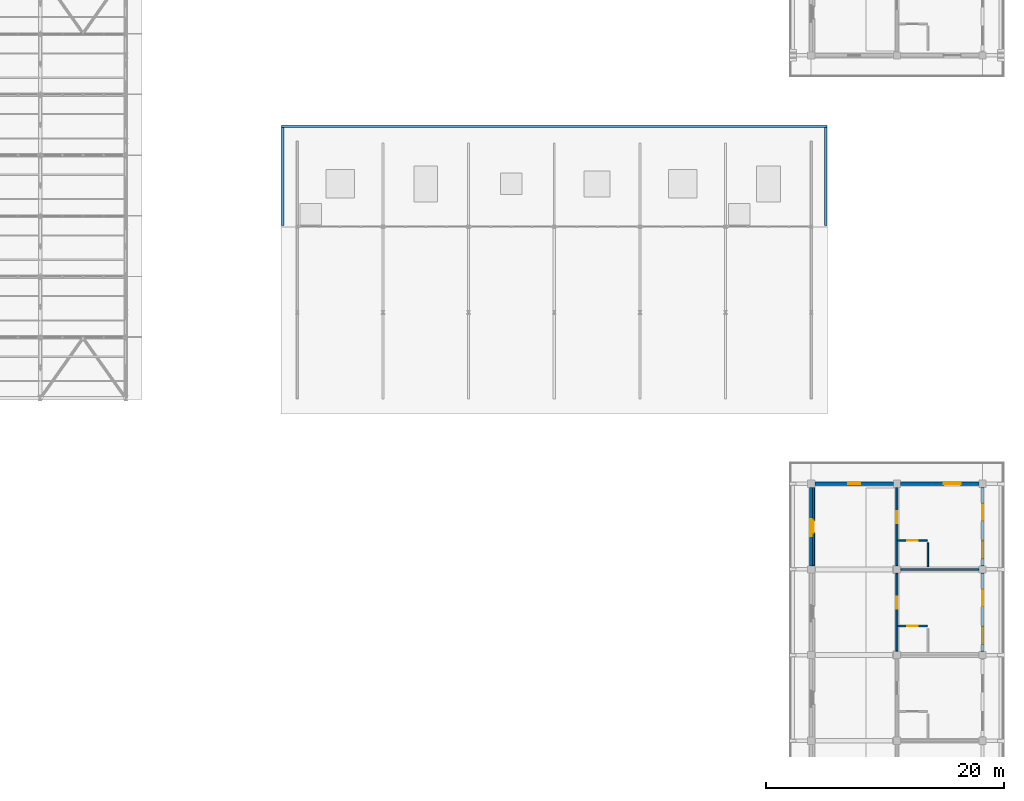
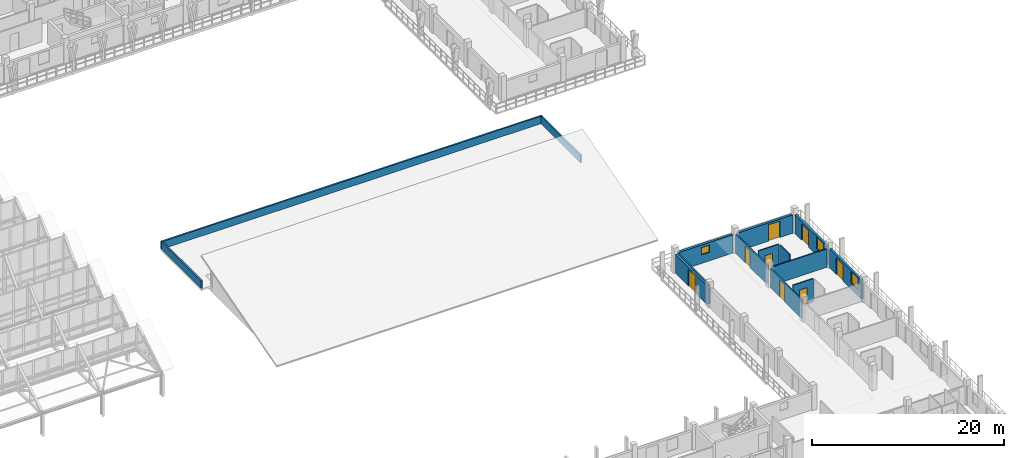
# One storey, part 132 of 157: 15 walls, 9 doors, 3 windows, 12 openings.
"""IFC4 building model written with IfcOpenShell, lengths in metres."""

from ifc_helpers import new_model, si_unit, direction, frame, frame_2d, origin, place, context, subcontext, project, spatial, rectangle, extrude, material, layer, layer_set, type_object, element, fill, save


model = new_model("IFC4")

# Units and contexts
model_context = context("Model", 3, precision=1e-05, world=origin(), true_north=direction((0.0, 1.0)))
body_context = subcontext(model_context, "Body", "Model", "MODEL_VIEW")
ifc_project = project(units=[si_unit("LENGTHUNIT", "METRE"), si_unit("AREAUNIT", "SQUARE_METRE"), si_unit("VOLUMEUNIT", "CUBIC_METRE"), si_unit("PLANEANGLEUNIT", "RADIAN"), si_unit("MASSUNIT", "GRAM", prefix="KILO")], contexts=[model_context])

# Site, building, storey
site_placement = place(None, origin())
site = spatial("IfcSite", under=ifc_project, at=site_placement, CompositionType="ELEMENT")
building_placement = place(site_placement, origin())
building = spatial("IfcBuilding", under=site, at=building_placement, Name="Suanplinth Sawtooth Commons", CompositionType="ELEMENT")
storey_placement = place(building_placement, frame((0.0, 0.0, 9.0)))
storey = spatial("IfcBuildingStorey", under=building, at=storey_placement, Name="L02", CompositionType="ELEMENT", Elevation=9.0)

# Wall, opening, window
ifc_material_1 = material(Name="Precast concrete C40/50", Category="concrete")
ifc_layer_1 = layer(ifc_material_1, 0.280029296875, Name="Insulated precast architectural facade wall 280mm")
ifc_layer_set_1 = layer_set([ifc_layer_1], Name="Precast concrete C40/50")
wall_type_1 = type_object("IfcWallType", Name="W-EX01", PredefinedType="ELEMENTEDWALL", material=ifc_layer_set_1)
wall_1_placement = place(storey_placement, frame((173.10009765625, 43.199951171875, 0.0), z_axis=(0.0, 0.0, 1.0), x_axis=(1.0, 0.0, 0.0)))
wall_1 = element("IfcWall", 1, at=wall_1_placement, inside=storey, type_object=wall_type_1, Name="Facade Wall W-L02-C-N-24-5", PredefinedType="ELEMENTEDWALL", context=body_context, shape_type="SweptSolid", body=[
    extrude(rectangle(XDim=6.599853515625, YDim=0.280029296875, at=frame_2d((3.2998046875, 0.0))), origin(), (0.0, 0.0, 1.0), 2.344970703125),
])
opening_1_placement = place(wall_1_placement, frame((2.800048828125, 0.0, 1.10009765625)))
opening_1 = element("IfcOpeningElement", 2, at=opening_1_placement, cuts=wall_1, Name="Opening W0305", PredefinedType="OPENING", context=body_context, shape_type="SweptSolid", body=[
    extrude(rectangle(XDim=1.0, YDim=0.89990234375, at=frame_2d((0.5, 0.449951171875))), frame((0.0, 0.15478515625, 0.0), z_axis=(0.0, -1.0, 0.0), x_axis=(1.0, 0.0, 0.0)), (0.0, 0.0, 1.0), 0.309814453125),
])
ifc_material_2 = material(Name="Thermally broken aluminium and low-E double glazing", Category="aluminium")
window_type_1 = type_object("IfcWindowType", Name="WN-12", PartitioningType="SINGLE_PANEL", PredefinedType="WINDOW", material=ifc_material_2)
window_1_placement = place(opening_1_placement, origin())
window_1 = element("IfcWindow", 3, at=window_1_placement, inside=storey, type_object=window_type_1, Name="End Window L02-C-N-24-5", OverallHeight=0.89990234375, OverallWidth=1.0, PartitioningType="SINGLE_PANEL", PredefinedType="WINDOW", context=body_context, shape_type="SweptSolid", body=[
    extrude(rectangle(XDim=1.0, YDim=0.89990234375, at=frame_2d((0.5, 0.449951171875))), frame((0.0, 0.030029296875, 0.0), z_axis=(0.0, -1.0, 0.0), x_axis=(1.0, 0.0, 0.0)), (0.0, 0.0, 1.0), 0.06005859375),
])
fill(opening_1, window_1)

# Wall, opening, door
wall_2_placement = place(storey_placement, frame((172.800048828125, 36.300048828125, 0.0), z_axis=(0.0, 0.0, 1.0), x_axis=(0.0, 1.0, 0.0)))
wall_2 = element("IfcWall", 4, at=wall_2_placement, inside=storey, type_object=wall_type_1, Name="Facade Wall W-L02-C-W-24-5", PredefinedType="ELEMENTEDWALL", context=body_context, shape_type="SweptSolid", body=[
    extrude(rectangle(XDim=6.599853515625, YDim=0.280029296875, at=frame_2d((3.2998046875, 0.0))), origin(), (0.0, 0.0, 1.0), 2.39501953125),
])
opening_2_placement = place(wall_2_placement, frame((2.5, 0.0, 0.0)))
opening_2 = element("IfcOpeningElement", 5, at=opening_2_placement, cuts=wall_2, Name="Opening ED0190", PredefinedType="OPENING", context=body_context, shape_type="SweptSolid", body=[
    extrude(rectangle(XDim=1.39990234375, YDim=2.10009765625, at=frame_2d((0.699951171875, 1.050048828125))), frame((0.0, 0.15478515625, 0.0), z_axis=(0.0, -1.0, 0.0), x_axis=(1.0, 0.0, 0.0)), (0.0, 0.0, 1.0), 0.309814453125),
])
ifc_material_3 = material(Name="Anodized aluminium and low-E glass", Category="aluminium")
door_type_1 = type_object("IfcDoorType", Name="SD-07", OperationType="SLIDING_TO_RIGHT", PredefinedType="DOOR", material=ifc_material_3)
door_1_placement = place(opening_2_placement, frame((1.39990234375, 0.0, 0.0), z_axis=(0.0, 0.0, 1.0), x_axis=(-1.0, 0.0, 0.0)))
door_1 = element("IfcDoor", 6, at=door_1_placement, inside=storey, type_object=door_type_1, Name="Courtyard Veranda Studio Balcony Door L02-C-5", OperationType="SLIDING_TO_RIGHT", OverallHeight=2.10009765625, OverallWidth=1.39990234375, PredefinedType="DOOR", context=body_context, shape_type="SweptSolid", body=[
    extrude(rectangle(XDim=1.39990234375, YDim=2.10009765625, at=frame_2d((0.699951171875, 1.050048828125))), frame((0.0, 0.02490234375, 0.0), z_axis=(0.0, -1.0, 0.0), x_axis=(1.0, 0.0, 0.0)), (0.0, 0.0, 1.0), 0.050048828125),
])
fill(opening_2, door_1)

# Wall, openings, door, window
wall_3_placement = place(storey_placement, frame((187.199951171875, 29.10009765625, 0.0), z_axis=(0.0, 0.0, 1.0), x_axis=(0.0, 1.0, 0.0)))
wall_3 = element("IfcWall", 7, at=wall_3_placement, inside=storey, type_object=wall_type_1, Name="Facade Wall W-L02-C-E-25-4", PredefinedType="ELEMENTEDWALL", context=body_context, shape_type="SweptSolid", body=[
    extrude(rectangle(XDim=6.599853515625, YDim=0.280029296875, at=frame_2d((3.2998046875, 0.0))), origin(), (0.0, 0.0, 1.0), 2.425048828125),
])
opening_3_placement = place(wall_3_placement, frame((3.800048828125, 0.0, 0.0)))
opening_3 = element("IfcOpeningElement", 8, at=opening_3_placement, cuts=wall_3, Name="Opening ED0196", PredefinedType="OPENING", context=body_context, shape_type="SweptSolid", body=[
    extrude(rectangle(XDim=1.39990234375, YDim=2.10009765625, at=frame_2d((0.699951171875, 1.050048828125))), frame((0.0, 0.15478515625, 0.0), z_axis=(0.0, -1.0, 0.0), x_axis=(1.0, 0.0, 0.0)), (0.0, 0.0, 1.0), 0.309814453125),
])
opening_4_placement = place(wall_3_placement, frame((0.60009765625, 0.0, 0.81494140625)))
opening_4 = element("IfcOpeningElement", 9, at=opening_4_placement, cuts=wall_3, Name="Opening W0310", PredefinedType="OPENING", context=body_context, shape_type="SweptSolid", body=[
    extrude(rectangle(XDim=1.5, YDim=1.5, at=frame_2d((0.75, 0.75))), frame((0.0, 0.15478515625, 0.0), z_axis=(0.0, -1.0, 0.0), x_axis=(1.0, 0.0, 0.0)), (0.0, 0.0, 1.0), 0.309814453125),
])
door_2_placement = place(opening_3_placement, frame((1.39990234375, 0.0, 0.0), z_axis=(0.0, 0.0, 1.0), x_axis=(-1.0, 0.0, 0.0)))
door_2 = element("IfcDoor", 10, at=door_2_placement, inside=storey, type_object=door_type_1, Name="Wing Balcony Sliding Door L02-C-4", OperationType="SLIDING_TO_RIGHT", OverallHeight=2.10009765625, OverallWidth=1.39990234375, PredefinedType="DOOR", context=body_context, shape_type="SweptSolid", body=[
    extrude(rectangle(XDim=1.39990234375, YDim=2.10009765625, at=frame_2d((0.699951171875, 1.050048828125))), frame((0.0, 0.02490234375, 0.0), z_axis=(0.0, -1.0, 0.0), x_axis=(1.0, 0.0, 0.0)), (0.0, 0.0, 1.0), 0.050048828125),
])
fill(opening_3, door_2)
window_type_2 = type_object("IfcWindowType", Name="WN-02", PartitioningType="DOUBLE_PANEL_VERTICAL", PredefinedType="WINDOW", material=ifc_material_2)
window_2_placement = place(opening_4_placement, origin())
window_2 = element("IfcWindow", 11, at=window_2_placement, inside=storey, type_object=window_type_2, Name="Wing Window L02-C-4", OverallHeight=1.5, OverallWidth=1.5, PartitioningType="DOUBLE_PANEL_VERTICAL", PredefinedType="WINDOW", context=body_context, shape_type="SweptSolid", body=[
    extrude(rectangle(XDim=1.5, YDim=1.5, at=frame_2d((0.75, 0.75))), frame((0.0, 0.030029296875, 0.0), z_axis=(0.0, -1.0, 0.0), x_axis=(1.0, 0.0, 0.0)), (0.0, 0.0, 1.0), 0.06005859375),
])
fill(opening_4, window_2)

# Wall, opening, door
wall_4_placement = place(storey_placement, frame((180.300048828125, 43.199951171875, 0.0), z_axis=(0.0, 0.0, 1.0), x_axis=(1.0, 0.0, 0.0)))
wall_4 = element("IfcWall", 12, at=wall_4_placement, inside=storey, type_object=wall_type_1, Name="Facade Wall W-L02-C-N-25-5", PredefinedType="ELEMENTEDWALL", context=body_context, shape_type="SweptSolid", body=[
    extrude(rectangle(XDim=6.599853515625, YDim=0.280029296875, at=frame_2d((3.2998046875, 0.0))), origin(), (0.0, 0.0, 1.0), 2.344970703125),
])
opening_5_placement = place(wall_4_placement, frame((3.64990234375, 0.0, 0.0)))
opening_5 = element("IfcOpeningElement", 13, at=opening_5_placement, cuts=wall_4, Name="Opening ED0197", PredefinedType="OPENING", context=body_context, shape_type="SweptSolid", body=[
    extrude(rectangle(XDim=1.39990234375, YDim=2.10009765625, at=frame_2d((0.699951171875, 1.050048828125))), frame((0.0, 0.15478515625, 0.0), z_axis=(0.0, -1.0, 0.0), x_axis=(1.0, 0.0, 0.0)), (0.0, 0.0, 1.0), 0.309814453125),
])
door_3_placement = place(opening_5_placement, frame((1.39990234375, 0.0, 0.0), z_axis=(0.0, 0.0, 1.0), x_axis=(-1.0, 0.0, 0.0)))
door_3 = element("IfcDoor", 14, at=door_3_placement, inside=storey, type_object=door_type_1, Name="End Balcony Sliding Door L02-C-N-25-5", OperationType="SLIDING_TO_RIGHT", OverallHeight=2.10009765625, OverallWidth=1.39990234375, PredefinedType="DOOR", context=body_context, shape_type="SweptSolid", body=[
    extrude(rectangle(XDim=1.39990234375, YDim=2.10009765625, at=frame_2d((0.699951171875, 1.050048828125))), frame((0.0, 0.02490234375, 0.0), z_axis=(0.0, -1.0, 0.0), x_axis=(1.0, 0.0, 0.0)), (0.0, 0.0, 1.0), 0.050048828125),
])
fill(opening_5, door_3)

# Wall, openings, door, window
wall_5_placement = place(storey_placement, frame((187.199951171875, 36.300048828125, 0.0), z_axis=(0.0, 0.0, 1.0), x_axis=(0.0, 1.0, 0.0)))
wall_5 = element("IfcWall", 15, at=wall_5_placement, inside=storey, type_object=wall_type_1, Name="Facade Wall W-L02-C-E-25-5", PredefinedType="ELEMENTEDWALL", context=body_context, shape_type="SweptSolid", body=[
    extrude(rectangle(XDim=6.599853515625, YDim=0.280029296875, at=frame_2d((3.2998046875, 0.0))), origin(), (0.0, 0.0, 1.0), 2.425048828125),
])
opening_6_placement = place(wall_5_placement, frame((3.800048828125, 0.0, 0.0)))
opening_6 = element("IfcOpeningElement", 16, at=opening_6_placement, cuts=wall_5, Name="Opening ED0198", PredefinedType="OPENING", context=body_context, shape_type="SweptSolid", body=[
    extrude(rectangle(XDim=1.39990234375, YDim=2.10009765625, at=frame_2d((0.699951171875, 1.050048828125))), frame((0.0, 0.15478515625, 0.0), z_axis=(0.0, -1.0, 0.0), x_axis=(1.0, 0.0, 0.0)), (0.0, 0.0, 1.0), 0.309814453125),
])
opening_7_placement = place(wall_5_placement, frame((0.60009765625, 0.0, 0.81494140625)))
opening_7 = element("IfcOpeningElement", 17, at=opening_7_placement, cuts=wall_5, Name="Opening W0311", PredefinedType="OPENING", context=body_context, shape_type="SweptSolid", body=[
    extrude(rectangle(XDim=1.5, YDim=1.5, at=frame_2d((0.75, 0.75))), frame((0.0, 0.15478515625, 0.0), z_axis=(0.0, -1.0, 0.0), x_axis=(1.0, 0.0, 0.0)), (0.0, 0.0, 1.0), 0.309814453125),
])
door_4_placement = place(opening_6_placement, frame((1.39990234375, 0.0, 0.0), z_axis=(0.0, 0.0, 1.0), x_axis=(-1.0, 0.0, 0.0)))
door_4 = element("IfcDoor", 18, at=door_4_placement, inside=storey, type_object=door_type_1, Name="Wing Balcony Sliding Door L02-C-5", OperationType="SLIDING_TO_RIGHT", OverallHeight=2.10009765625, OverallWidth=1.39990234375, PredefinedType="DOOR", context=body_context, shape_type="SweptSolid", body=[
    extrude(rectangle(XDim=1.39990234375, YDim=2.10009765625, at=frame_2d((0.699951171875, 1.050048828125))), frame((0.0, 0.02490234375, 0.0), z_axis=(0.0, -1.0, 0.0), x_axis=(1.0, 0.0, 0.0)), (0.0, 0.0, 1.0), 0.050048828125),
])
fill(opening_6, door_4)
window_3_placement = place(opening_7_placement, origin())
window_3 = element("IfcWindow", 19, at=window_3_placement, inside=storey, type_object=window_type_2, Name="Wing Window L02-C-5", OverallHeight=1.5, OverallWidth=1.5, PartitioningType="DOUBLE_PANEL_VERTICAL", PredefinedType="WINDOW", context=body_context, shape_type="SweptSolid", body=[
    extrude(rectangle(XDim=1.5, YDim=1.5, at=frame_2d((0.75, 0.75))), frame((0.0, 0.030029296875, 0.0), z_axis=(0.0, -1.0, 0.0), x_axis=(1.0, 0.0, 0.0)), (0.0, 0.0, 1.0), 0.06005859375),
])
fill(opening_7, window_3)

# Wall, opening, door
ifc_layer_2 = layer(ifc_material_1, 0.159912109375, Name="Fire-rated corridor and lobby wall 160mm")
ifc_layer_set_2 = layer_set([ifc_layer_2], Name="Precast concrete C40/50")
wall_type_2 = type_object("IfcWallType", Name="W-FW01", PredefinedType="PARTITIONING", material=ifc_layer_set_2)
wall_6_placement = place(storey_placement, frame((180.0, 29.1298828125, 0.0), z_axis=(0.0, 0.0, 1.0), x_axis=(0.0, 1.0, 0.0)))
wall_6 = element("IfcWall", 20, at=wall_6_placement, inside=storey, type_object=wall_type_2, Name="W-C-L02-L03-COR", PredefinedType="PARTITIONING", context=body_context, shape_type="SweptSolid", body=[
    extrude(rectangle(XDim=6.5400390625, YDim=0.159912109375, at=frame_2d((3.27001953125, 0.0))), origin(), (0.0, 0.0, 1.0), 2.39501953125),
])
opening_8_placement = place(wall_6_placement, frame((3.570068359375, 0.0, 0.0)))
opening_8 = element("IfcOpeningElement", 21, at=opening_8_placement, cuts=wall_6, Name="Opening FD0823", PredefinedType="OPENING", context=body_context, shape_type="SweptSolid", body=[
    extrude(rectangle(XDim=1.0, YDim=2.14990234375, at=frame_2d((0.5, 1.074951171875))), frame((0.0, 0.0947265625, 0.0), z_axis=(0.0, -1.0, 0.0), x_axis=(1.0, 0.0, 0.0)), (0.0, 0.0, 1.0), 0.189697265625),
])
ifc_material_4 = material(Name="Teak hardwood fire-rated door assembly", Category="wood")
door_type_2 = type_object("IfcDoorType", Name="FD-03", OperationType="NOTDEFINED", PredefinedType="DOOR", material=ifc_material_4)
door_5_placement = place(opening_8_placement, frame((1.0, 0.0, 0.0), z_axis=(0.0, 0.0, 1.0), x_axis=(-1.0, 0.0, 0.0)))
door_5 = element("IfcDoor", 22, at=door_5_placement, inside=storey, type_object=door_type_2, Name="Wing Unit Entrance Door FD0823", OperationType="SINGLE_SWING_LEFT", OverallHeight=2.14990234375, OverallWidth=1.0, PredefinedType="DOOR", context=body_context, shape_type="SweptSolid", body=[
    extrude(rectangle(XDim=1.0, YDim=2.14990234375, at=frame_2d((0.5, 1.074951171875))), frame((0.0, 0.02490234375, 0.0), z_axis=(0.0, -1.0, 0.0), x_axis=(1.0, 0.0, 0.0)), (0.0, 0.0, 1.0), 0.050048828125),
])
fill(opening_8, door_5)

wall_7_placement = place(storey_placement, frame((180.0, 36.330078125, 0.0), z_axis=(0.0, 0.0, 1.0), x_axis=(0.0, 1.0, 0.0)))
wall_7 = element("IfcWall", 23, at=wall_7_placement, inside=storey, type_object=wall_type_2, Name="W-C-L02-L04-COR", PredefinedType="PARTITIONING", context=body_context, shape_type="SweptSolid", body=[
    extrude(rectangle(XDim=6.5400390625, YDim=0.159912109375, at=frame_2d((3.27001953125, 0.0))), origin(), (0.0, 0.0, 1.0), 2.39501953125),
])
opening_9_placement = place(wall_7_placement, frame((3.570068359375, 0.0, 0.0)))
opening_9 = element("IfcOpeningElement", 24, at=opening_9_placement, cuts=wall_7, Name="Opening FD0826", PredefinedType="OPENING", context=body_context, shape_type="SweptSolid", body=[
    extrude(rectangle(XDim=1.0, YDim=2.14990234375, at=frame_2d((0.5, 1.074951171875))), frame((0.0, 0.0947265625, 0.0), z_axis=(0.0, -1.0, 0.0), x_axis=(1.0, 0.0, 0.0)), (0.0, 0.0, 1.0), 0.189697265625),
])
door_6_placement = place(opening_9_placement, frame((1.0, 0.0, 0.0), z_axis=(0.0, 0.0, 1.0), x_axis=(-1.0, 0.0, 0.0)))
door_6 = element("IfcDoor", 25, at=door_6_placement, inside=storey, type_object=door_type_2, Name="Wing Unit Entrance Door FD0826", OperationType="SINGLE_SWING_RIGHT", OverallHeight=2.14990234375, OverallWidth=1.0, PredefinedType="DOOR", context=body_context, shape_type="SweptSolid", body=[
    extrude(rectangle(XDim=1.0, YDim=2.14990234375, at=frame_2d((0.5, 1.074951171875))), frame((0.0, 0.02490234375, 0.0), z_axis=(0.0, -1.0, 0.0), x_axis=(1.0, 0.0, 0.0)), (0.0, 0.0, 1.0), 0.050048828125),
])
fill(opening_9, door_6)

wall_8_placement = place(storey_placement, frame((173.0, 36.330078125, 0.0), z_axis=(0.0, 0.0, 1.0), x_axis=(0.0, 1.0, 0.0)))
wall_8 = element("IfcWall", 26, at=wall_8_placement, inside=storey, type_object=wall_type_2, Name="W-C-L02-LEGCOURTROOM-59-COR", PredefinedType="PARTITIONING", context=body_context, shape_type="SweptSolid", body=[
    extrude(rectangle(XDim=6.5400390625, YDim=0.159912109375, at=frame_2d((3.27001953125, 0.0))), origin(), (0.0, 0.0, 1.0), 2.39501953125),
])
opening_10_placement = place(wall_8_placement, frame((2.760009765625, 0.0, 0.0)))
opening_10 = element("IfcOpeningElement", 27, at=opening_10_placement, cuts=wall_8, Name="Opening D0828", PredefinedType="OPENING", context=body_context, shape_type="SweptSolid", body=[
    extrude(rectangle(XDim=1.02001953125, YDim=2.179931640625, at=frame_2d((0.510009765625, 1.08984375))), frame((0.0, 0.0947265625, 0.0), z_axis=(0.0, -1.0, 0.0), x_axis=(1.0, 0.0, 0.0)), (0.0, 0.0, 1.0), 0.189697265625),
])
ifc_material_5 = material(Name="Teak hardwood", Category="wood")
door_type_3 = type_object("IfcDoorType", Name="D-16", OperationType="NOTDEFINED", PredefinedType="DOOR", material=ifc_material_5)
door_7_placement = place(opening_10_placement, origin())
door_7 = element("IfcDoor", 28, at=door_7_placement, inside=storey, type_object=door_type_3, Name="Veranda Studio Door D0828", OperationType="SINGLE_SWING_RIGHT", OverallHeight=2.179931640625, OverallWidth=1.02001953125, PredefinedType="DOOR", context=body_context, shape_type="SweptSolid", body=[
    extrude(rectangle(XDim=1.02001953125, YDim=2.179931640625, at=frame_2d((0.510009765625, 1.08984375))), frame((0.0, 0.02490234375, 0.0), z_axis=(0.0, -1.0, 0.0), x_axis=(1.0, 0.0, 0.0)), (0.0, 0.0, 1.0), 0.050048828125),
])
fill(opening_10, door_7)

# Walls
ifc_layer_3 = layer(ifc_material_1, 0.14990234375, Name="Acoustic precast party demising wall 150mm")
ifc_layer_set_3 = layer_set([ifc_layer_3], Name="Precast concrete C40/50")
wall_type_3 = type_object("IfcWallType", Name="W-FW02", PredefinedType="PARTITIONING", material=ifc_layer_set_3)
wall_9_placement = place(storey_placement, frame((180.330078125, 36.0, 0.0), z_axis=(0.0, 0.0, 1.0), x_axis=(1.0, 0.0, 0.0)))
element("IfcWall", 29, at=wall_9_placement, inside=storey, type_object=wall_type_3, Name="W-C-L02-L03-PTY", PredefinedType="PARTITIONING", context=body_context, shape_type="SweptSolid", body=[
    extrude(rectangle(XDim=6.5400390625, YDim=0.14990234375, at=frame_2d((3.27001953125, 0.0))), origin(), (0.0, 0.0, 1.0), 2.344970703125),
])
ifc_layer_4 = layer(ifc_material_1, 0.199951171875, Name="Roof perimeter precast parapet wall 200mm")
ifc_layer_set_4 = layer_set([ifc_layer_4], Name="Precast concrete C40/50")
wall_type_4 = type_object("IfcWallType", Name="W-PR01", PredefinedType="PARAPET", material=ifc_layer_set_4)
for number, where, z_axis, x_axis, name in (
    (30, (128.3701171875, 64.89990234375, 0.239990234375), (0.0, 0.0, 1.0), (0.0, 1.0, 0.0), "Nursery Roof Parapet W"),
    (31, (174.030029296875, 64.89990234375, 0.239990234375), (0.0, 0.0, 1.0), (0.0, 1.0, 0.0), "Nursery Roof Parapet E"),
):
    element("IfcWall", number, at=place(storey_placement, frame(where, z_axis=z_axis, x_axis=x_axis)), inside=storey, type_object=wall_type_4, Name=name, PredefinedType="PARAPET", context=body_context, shape_type="SweptSolid", body=[
        extrude(rectangle(XDim=8.22998046875, YDim=0.199951171875, at=frame_2d((4.114990234375, 0.0))), origin(), (0.0, 0.0, 1.0), 0.9599609375),
    ])
wall_10_placement = place(storey_placement, frame((128.27001953125, 73.22998046875, 0.239990234375), z_axis=(0.0, 0.0, 1.0), x_axis=(1.0, 0.0, 0.0)))
element("IfcWall", 32, at=wall_10_placement, inside=storey, type_object=wall_type_4, Name="Nursery Roof Parapet N", PredefinedType="PARAPET", context=body_context, shape_type="SweptSolid", body=[
    extrude(rectangle(XDim=45.85986328125, YDim=0.199951171875, at=frame_2d((22.929931640625, 0.0))), origin(), (0.0, 0.0, 1.0), 0.9599609375),
])

# Wall, opening, door
ifc_material_6 = material(Name="Gypsum plasterboard on steel stud", Category="steel")
ifc_layer_5 = layer(ifc_material_6, 0.1298828125, Name="Moisture-resistant bathroom partition 130mm")
ifc_layer_set_5 = layer_set([ifc_layer_5], Name="Gypsum plasterboard on steel stud")
wall_type_5 = type_object("IfcWallType", Name="W-PT02", PredefinedType="PARTITIONING", material=ifc_layer_set_5)
wall_11_placement = place(storey_placement, frame((180.080078125, 31.2451171875, 0.0), z_axis=(0.0, 0.0, 1.0), x_axis=(1.0, 0.0, 0.0)))
wall_11 = element("IfcWall", 33, at=wall_11_placement, inside=storey, type_object=wall_type_5, Name="W-C-L02-L03-BTH1", PredefinedType="PARTITIONING", context=body_context, shape_type="SweptSolid", body=[
    extrude(rectangle(XDim=2.449951171875, YDim=0.1298828125, at=frame_2d((1.22509765625, 0.0))), origin(), (0.0, 0.0, 1.0), 2.9599609375),
])
opening_11_placement = place(wall_11_placement, frame((0.77490234375, 0.0, 0.0)))
opening_11 = element("IfcOpeningElement", 34, at=opening_11_placement, cuts=wall_11, Name="Opening D0824", PredefinedType="OPENING", context=body_context, shape_type="SweptSolid", body=[
    extrude(rectangle(XDim=0.89990234375, YDim=2.10009765625, at=frame_2d((0.449951171875, 1.050048828125))), frame((0.0, 0.079833984375, 0.0), z_axis=(0.0, -1.0, 0.0), x_axis=(1.0, 0.0, 0.0)), (0.0, 0.0, 1.0), 0.15966796875),
])
door_type_4 = type_object("IfcDoorType", Name="D-01", OperationType="NOTDEFINED", PredefinedType="DOOR", material=ifc_material_5)
door_8_placement = place(opening_11_placement, frame((0.89990234375, 0.0, 0.0), z_axis=(0.0, 0.0, 1.0), x_axis=(-1.0, 0.0, 0.0)))
door_8 = element("IfcDoor", 35, at=door_8_placement, inside=storey, type_object=door_type_4, Name="Bathroom Door D0824", OperationType="SINGLE_SWING_RIGHT", OverallHeight=2.10009765625, OverallWidth=0.89990234375, PredefinedType="DOOR", context=body_context, shape_type="SweptSolid", body=[
    extrude(rectangle(XDim=0.89990234375, YDim=2.10009765625, at=frame_2d((0.449951171875, 1.050048828125))), frame((0.0, 0.02490234375, 0.0), z_axis=(0.0, -1.0, 0.0), x_axis=(1.0, 0.0, 0.0)), (0.0, 0.0, 1.0), 0.050048828125),
])
fill(opening_11, door_8)

wall_12_placement = place(storey_placement, frame((180.080078125, 38.445068359375, 0.0), z_axis=(0.0, 0.0, 1.0), x_axis=(1.0, 0.0, 0.0)))
wall_12 = element("IfcWall", 36, at=wall_12_placement, inside=storey, type_object=wall_type_5, Name="W-C-L02-L04-BTH1", PredefinedType="PARTITIONING", context=body_context, shape_type="SweptSolid", body=[
    extrude(rectangle(XDim=2.449951171875, YDim=0.1298828125, at=frame_2d((1.22509765625, 0.0))), origin(), (0.0, 0.0, 1.0), 2.9599609375),
])
opening_12_placement = place(wall_12_placement, frame((0.77490234375, 0.0, 0.0)))
opening_12 = element("IfcOpeningElement", 37, at=opening_12_placement, cuts=wall_12, Name="Opening D0827", PredefinedType="OPENING", context=body_context, shape_type="SweptSolid", body=[
    extrude(rectangle(XDim=0.89990234375, YDim=2.10009765625, at=frame_2d((0.449951171875, 1.050048828125))), frame((0.0, 0.079833984375, 0.0), z_axis=(0.0, -1.0, 0.0), x_axis=(1.0, 0.0, 0.0)), (0.0, 0.0, 1.0), 0.15966796875),
])
door_9_placement = place(opening_12_placement, frame((0.89990234375, 0.0, 0.0), z_axis=(0.0, 0.0, 1.0), x_axis=(-1.0, 0.0, 0.0)))
door_9 = element("IfcDoor", 38, at=door_9_placement, inside=storey, type_object=door_type_4, Name="Bathroom Door D0827", OperationType="SINGLE_SWING_LEFT", OverallHeight=2.10009765625, OverallWidth=0.89990234375, PredefinedType="DOOR", context=body_context, shape_type="SweptSolid", body=[
    extrude(rectangle(XDim=0.89990234375, YDim=2.10009765625, at=frame_2d((0.449951171875, 1.050048828125))), frame((0.0, 0.02490234375, 0.0), z_axis=(0.0, -1.0, 0.0), x_axis=(1.0, 0.0, 0.0)), (0.0, 0.0, 1.0), 0.050048828125),
])
fill(opening_12, door_9)

# Wall
wall_13_placement = place(storey_placement, frame((182.594970703125, 36.22998046875, 0.0), z_axis=(0.0, 0.0, 1.0), x_axis=(0.0, 1.0, 0.0)))
element("IfcWall", 39, at=wall_13_placement, inside=storey, type_object=wall_type_5, Name="W-C-L02-L04-BTH2", PredefinedType="PARTITIONING", context=body_context, shape_type="SweptSolid", body=[
    extrude(rectangle(XDim=2.0, YDim=0.1298828125, at=frame_2d((1.0, 0.0))), origin(), (0.0, 0.0, 1.0), 2.9599609375),
])

save(model, "model.ifc")
